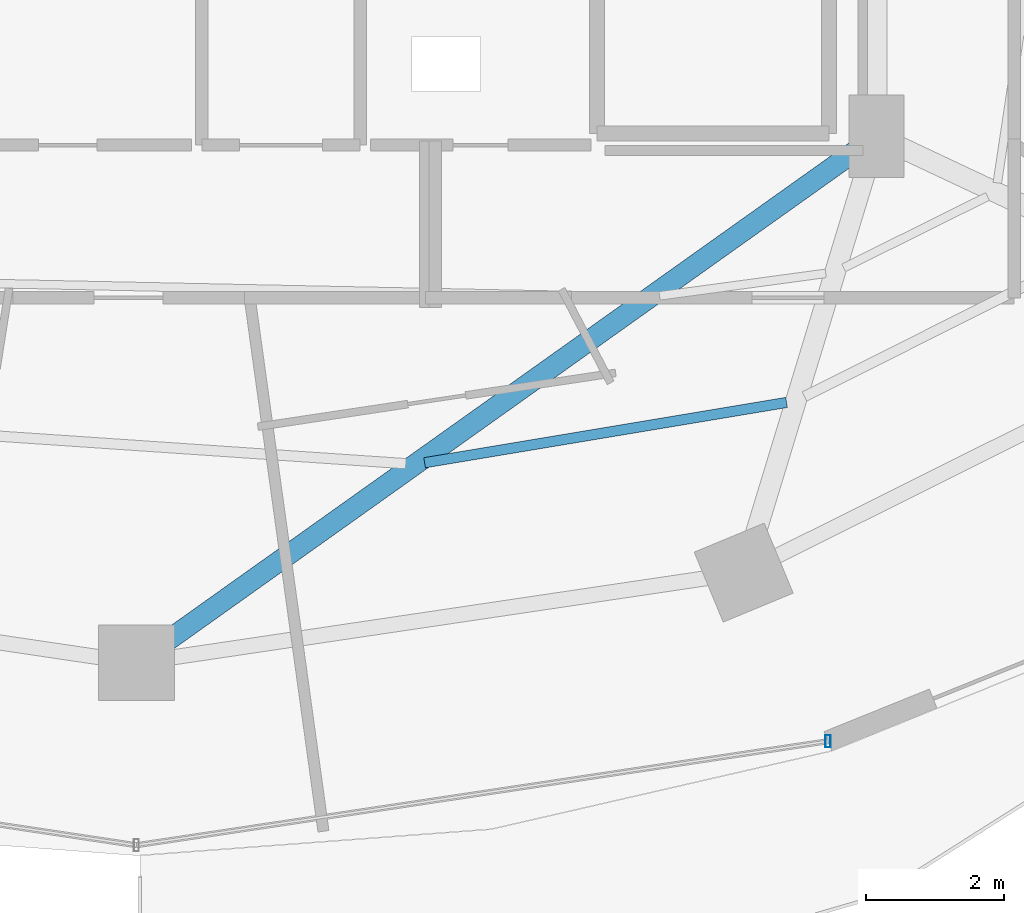
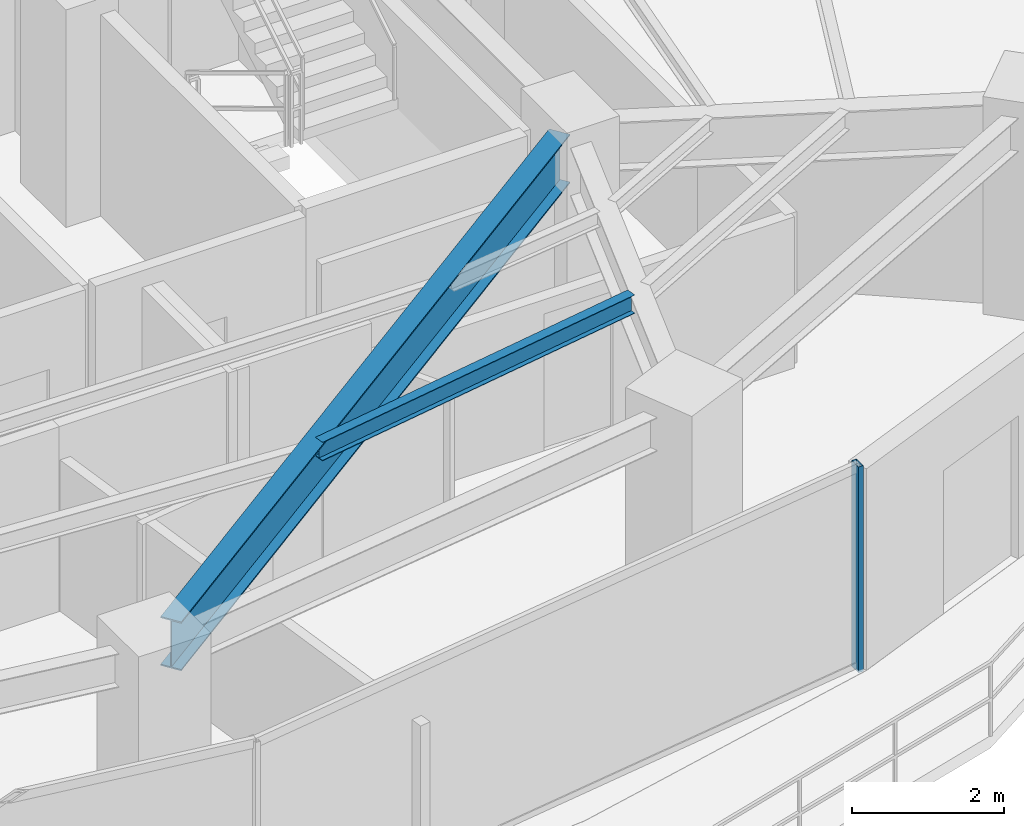
# One storey, part 10 of 30: 2 beams, 1 member, 1 element without a shape of its own.
"""IFC4 building model written with IfcOpenShell, lengths in metres."""

from ifc_helpers import new_model, si_unit, direction, frame, origin, origin_2d, place, context, subcontext, project, spatial, hollow_rectangle, i_section, extrude, material, material_profile, profile_set, type_object, element, aggregate, save


model = new_model("IFC4")

# Units and contexts
model_context = context("Model", 3, precision=1e-05, world=origin(), true_north=direction((0.0, 1.0)))
body_context = subcontext(model_context, "Body", "Model", "MODEL_VIEW")
ifc_project = project(units=[si_unit("LENGTHUNIT", "METRE"), si_unit("AREAUNIT", "SQUARE_METRE"), si_unit("VOLUMEUNIT", "CUBIC_METRE"), si_unit("PLANEANGLEUNIT", "RADIAN"), si_unit("MASSUNIT", "GRAM", prefix="KILO")], contexts=[model_context])

# Site, building, storey
site_placement = place(None, origin())
site = spatial("IfcSite", under=ifc_project, at=site_placement, CompositionType="ELEMENT")
building_placement = place(site_placement, origin())
building = spatial("IfcBuilding", under=site, at=building_placement, Name="Vorneva Point Tower", CompositionType="ELEMENT")
storey_placement = place(building_placement, frame((0.0, 0.0, 89.300048828125)))
storey = spatial("IfcBuildingStorey", under=building, at=storey_placement, Name="L23", CompositionType="ELEMENT", Elevation=89.300048828125)

# Beams
ifc_material_1 = material(Name="Steel S355", Category="steel")
ifc_material_profile_1 = material_profile(ifc_material_1, i_section(OverallWidth=0.300048828125, OverallDepth=0.7880859375, WebThickness=0.014404296875, FlangeThickness=0.02197265625, at=origin_2d()), Name="80Sh1")
ifc_profile_set_1 = profile_set([ifc_material_profile_1], Name="Steel S355")
beam_type_1 = type_object("IfcBeamType", Name="BM-GRD-80Sh1", PredefinedType="USERDEFINED", material=ifc_profile_set_1)
beam_1_placement = place(storey_placement, frame((38.438232421875, 9.11181640625, 2.845947265625), z_axis=(0.814750142675, 0.5798122153, 0.0), x_axis=(-0.5798122153, 0.814750142675, 0.0)))
element("IfcBeam", 1, at=beam_1_placement, inside=storey, type_object=beam_type_1, Name="L23 Radial Primary Girder 13", ObjectType="GIRDER", PredefinedType="USERDEFINED", context=body_context, shape_type="SweptSolid", body=[
    extrude(i_section(OverallWidth=0.300048828125, OverallDepth=0.7880859375, WebThickness=0.014404296875, FlangeThickness=0.02197265625, at=origin_2d()), origin(), (0.0, 0.0, 1.0), 12.316162109375),
])
ifc_material_profile_2 = material_profile(ifc_material_1, i_section(OverallWidth=0.14892578125, OverallDepth=0.298095703125, WebThickness=0.005615234375, FlangeThickness=0.008056640625, at=origin_2d()), Name="30B1")
ifc_profile_set_2 = profile_set([ifc_material_profile_2], Name="Steel S355")
beam_type_2 = type_object("IfcBeamType", Name="BM-JST-30B1", PredefinedType="JOIST", material=ifc_profile_set_2)
beam_2_placement = place(storey_placement, frame((42.18701171875, 11.705322265625, 3.091064453125), z_axis=(0.986391447478, 0.164413844743, 0.0), x_axis=(-0.164413844743, 0.986391447478, 0.0)))
element("IfcBeam", 2, at=beam_2_placement, inside=storey, type_object=beam_type_2, Name="L23 Secondary Floor Beam 1.13", PredefinedType="JOIST", context=body_context, shape_type="SweptSolid", body=[
    extrude(i_section(OverallWidth=0.14892578125, OverallDepth=0.298095703125, WebThickness=0.005615234375, FlangeThickness=0.008056640625, at=origin_2d()), origin(), (0.0, 0.0, 1.0), 5.329345703125),
])

# Curtain wall, member
ifc_material_2 = material(Name="Pale anodised aluminium", Category="aluminium")
curtain_wall_type = type_object("IfcCurtainWallType", Name="CW-HTL-SYS", PredefinedType="NOTDEFINED", material=ifc_material_2)
curtain_wall_placement = place(storey_placement, origin())
curtain_wall = element("IfcCurtainWall", 3, at=curtain_wall_placement, inside=storey, type_object=curtain_wall_type, Name="L23 Unitised Curtain Wall CW-L23-R04", PredefinedType="NOTDEFINED")
ifc_material_profile_3 = material_profile(ifc_material_2, hollow_rectangle(XDim=0.074951171875, YDim=0.179931640625, WallThickness=0.00390625, at=origin_2d()), Name="AL-MUL 180x75x4")
ifc_profile_set_3 = profile_set([ifc_material_profile_3], Name="Pale anodised aluminium")
member_type = type_object("IfcMemberType", Name="CW-MUL-180", PredefinedType="MULLION", material=ifc_profile_set_3)
member_placement = place(storey_placement, frame((48.04541015625, 7.660888671875, -0.0400390625), z_axis=(0.0, 0.0, 1.0), x_axis=(1.0, 0.0, 0.0)))
member = element("IfcMember", 4, at=member_placement, type_object=member_type, Name="CW-L23-R04 Mullion 04", PredefinedType="MULLION", context=body_context, shape_type="SweptSolid", body=[
    extrude(hollow_rectangle(XDim=0.074951171875, YDim=0.179931640625, WallThickness=0.00390625, at=origin_2d()), origin(), (0.0, 0.0, 1.0), 3.31005859375),
])
aggregate(curtain_wall, [member])

save(model, "model.ifc")
